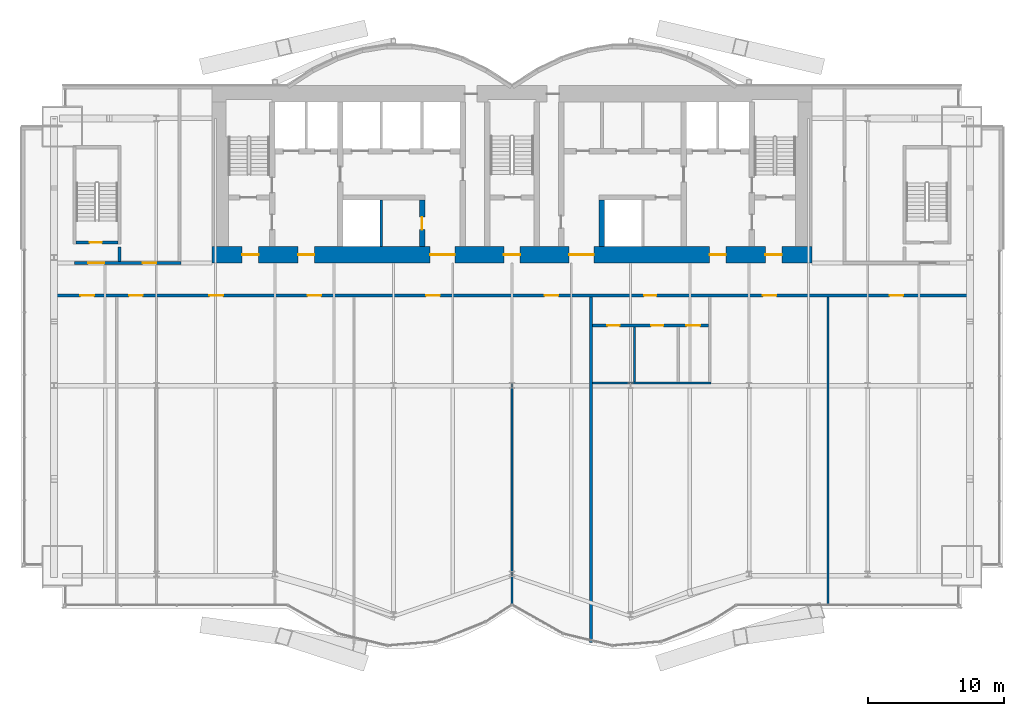
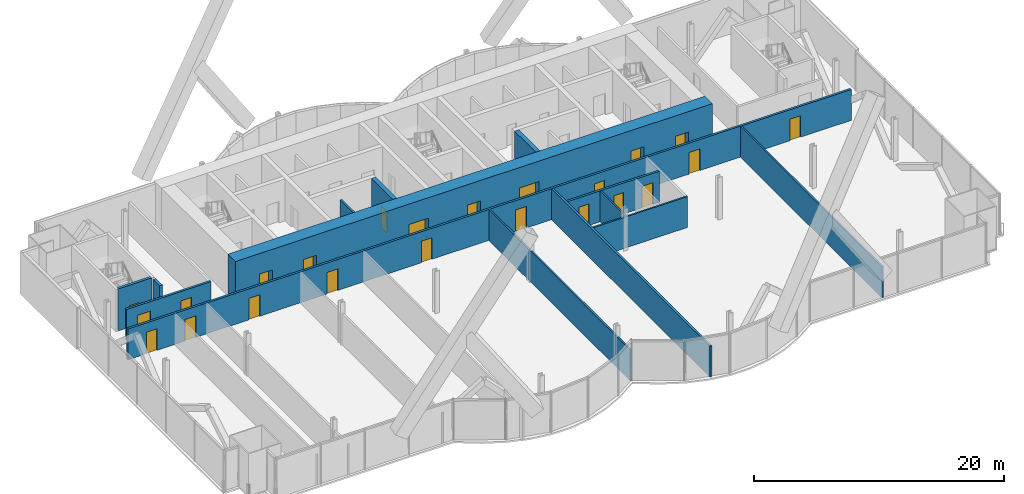
# One storey, part 16 of 22: 23 doors, 14 walls, 23 openings.
"""IFC4 building model written with IfcOpenShell, lengths in metres."""

from ifc_helpers import new_model, si_unit, direction, frame, frame_2d, origin, place, context, subcontext, project, spatial, rectangle, extrude, material, layer, layer_set, type_object, element, fill, save


model = new_model("IFC4")

# Units and contexts
model_context = context("Model", 3, precision=1e-05, world=origin(), true_north=direction((0.0, 1.0)))
body_context = subcontext(model_context, "Body", "Model", "MODEL_VIEW")
ifc_project = project(units=[si_unit("LENGTHUNIT", "METRE"), si_unit("AREAUNIT", "SQUARE_METRE"), si_unit("VOLUMEUNIT", "CUBIC_METRE"), si_unit("PLANEANGLEUNIT", "RADIAN"), si_unit("MASSUNIT", "GRAM", prefix="KILO")], contexts=[model_context])

# Site, building, storey
site_placement = place(None, origin())
site = spatial("IfcSite", under=ifc_project, at=site_placement, CompositionType="ELEMENT")
building_placement = place(site_placement, origin())
building = spatial("IfcBuilding", under=site, at=building_placement, Name="Bicima Exchange Tower", CompositionType="ELEMENT")
storey_placement = place(building_placement, frame((0.0, 0.0, 102.199951171875)))
storey = spatial("IfcBuildingStorey", under=building, at=storey_placement, Name="L21", CompositionType="ELEMENT", Elevation=102.199951171875)

# Wall
ifc_material_1 = material(Name="Gypsum board partition")
ifc_layer_1 = layer(ifc_material_1, 0.199951171875)
ifc_layer_set_1 = layer_set([ifc_layer_1], Name="Gypsum board partition")
wall_type_1 = type_object("IfcWallType", Name="Fire-rated gypsum partition 200 EI120", PredefinedType="PARTITIONING", material=ifc_layer_set_1)
wall_1_placement = place(storey_placement, frame((-9.60009765625, -11.800048828125, 0.0), z_axis=(0.0, 0.0, 1.0), x_axis=(0.0, 1.0, 0.0)))
element("IfcWall", 1, at=wall_1_placement, inside=storey, type_object=wall_type_1, Name="partition wall 11", PredefinedType="PARTITIONING", context=body_context, shape_type="SweptSolid", body=[
    extrude(rectangle(XDim=3.400146484375, YDim=0.199951171875, at=frame_2d((1.7001953125, 0.0))), origin(), (0.0, 0.0, 1.0), 3.018310546875),
])

# Wall, openings, doors
ifc_layer_2 = layer(ifc_material_1, 0.199951171875)
ifc_layer_set_2 = layer_set([ifc_layer_2], Name="Gypsum board partition")
wall_type_2 = type_object("IfcWallType", Name="Fire-rated gypsum partition 200 EI60", PredefinedType="PARTITIONING", material=ifc_layer_set_2)
wall_2_placement = place(storey_placement, frame((5.89990234375, -17.60009765625, 0.0), z_axis=(0.0, 0.0, 1.0), x_axis=(1.0, 0.0, 0.0)))
wall_2 = element("IfcWall", 2, at=wall_2_placement, inside=storey, type_object=wall_type_2, Name="partition wall 2", PredefinedType="PARTITIONING", context=body_context, shape_type="SweptSolid", body=[
    extrude(rectangle(XDim=8.5, YDim=0.199951171875, at=frame_2d((4.25, 0.0))), origin(), (0.0, 0.0, 1.0), 3.018310546875),
])
opening_1_placement = place(wall_2_placement, frame((1.10009765625, 0.0, 0.0)))
opening_1 = element("IfcOpeningElement", 3, at=opening_1_placement, cuts=wall_2, Name="Opening L21-014", PredefinedType="OPENING", context=body_context, shape_type="SweptSolid", body=[
    extrude(rectangle(XDim=0.89990234375, YDim=2.10009765625, at=frame_2d((0.449951171875, 1.050048828125))), frame((0.0, 0.11181640625, 0.0), z_axis=(0.0, -1.0, 0.0), x_axis=(1.0, 0.0, 0.0)), (0.0, 0.0, 1.0), 0.223876953125),
])
opening_2_placement = place(wall_2_placement, frame((4.300048828125, 0.0, 0.0)))
opening_2 = element("IfcOpeningElement", 4, at=opening_2_placement, cuts=wall_2, Name="Opening L21-015", PredefinedType="OPENING", context=body_context, shape_type="SweptSolid", body=[
    extrude(rectangle(XDim=0.89990234375, YDim=2.10009765625, at=frame_2d((0.449951171875, 1.050048828125))), frame((0.0, 0.11181640625, 0.0), z_axis=(0.0, -1.0, 0.0), x_axis=(1.0, 0.0, 0.0)), (0.0, 0.0, 1.0), 0.223876953125),
])
opening_3_placement = place(wall_2_placement, frame((6.89990234375, 0.0, 0.0)))
opening_3 = element("IfcOpeningElement", 5, at=opening_3_placement, cuts=wall_2, Name="Opening L21-016", PredefinedType="OPENING", context=body_context, shape_type="SweptSolid", body=[
    extrude(rectangle(XDim=1.0, YDim=2.10009765625, at=frame_2d((0.5, 1.050048828125))), frame((0.0, 0.11181640625, 0.0), z_axis=(0.0, -1.0, 0.0), x_axis=(1.0, 0.0, 0.0)), (0.0, 0.0, 1.0), 0.223876953125),
])
ifc_material_2 = material(Name="Steel fire door leaf", Category="steel")
door_type_1 = type_object("IfcDoorType", Name="Door 1000 swing FD30S", OperationType="SINGLE_SWING_LEFT", PredefinedType="DOOR", material=ifc_material_2)
door_1_placement = place(opening_3_placement, frame((1.0, 0.0, 0.0), z_axis=(0.0, 0.0, 1.0), x_axis=(-1.0, 0.0, 0.0)))
door_1 = element("IfcDoor", 6, at=door_1_placement, inside=storey, type_object=door_type_1, Name="Door", OperationType="SINGLE_SWING_LEFT", OverallHeight=2.10009765625, OverallWidth=1.0, PredefinedType="DOOR", context=body_context, shape_type="SweptSolid", body=[
    extrude(rectangle(XDim=1.0, YDim=2.10009765625, at=frame_2d((0.5, 1.050048828125))), frame((0.0, 0.02490234375, 0.0), z_axis=(0.0, -1.0, 0.0), x_axis=(1.0, 0.0, 0.0)), (0.0, 0.0, 1.0), 0.050048828125),
])
fill(opening_3, door_1)
door_type_2 = type_object("IfcDoorType", Name="Door 900 swing FD30S", OperationType="SINGLE_SWING_LEFT", PredefinedType="DOOR", material=ifc_material_2)
door_2_placement = place(opening_1_placement, frame((0.89990234375, 0.0, 0.0), z_axis=(0.0, 0.0, 1.0), x_axis=(-1.0, 0.0, 0.0)))
door_2 = element("IfcDoor", 7, at=door_2_placement, inside=storey, type_object=door_type_2, Name="Door", OperationType="SINGLE_SWING_RIGHT", OverallHeight=2.10009765625, OverallWidth=0.89990234375, PredefinedType="DOOR", context=body_context, shape_type="SweptSolid", body=[
    extrude(rectangle(XDim=0.89990234375, YDim=2.10009765625, at=frame_2d((0.449951171875, 1.050048828125))), frame((0.0, 0.02490234375, 0.0), z_axis=(0.0, -1.0, 0.0), x_axis=(1.0, 0.0, 0.0)), (0.0, 0.0, 1.0), 0.050048828125),
])
fill(opening_1, door_2)
door_3_placement = place(opening_2_placement, frame((0.89990234375, 0.0, 0.0), z_axis=(0.0, 0.0, 1.0), x_axis=(-1.0, 0.0, 0.0)))
door_3 = element("IfcDoor", 8, at=door_3_placement, inside=storey, type_object=door_type_2, Name="Door", OperationType="SINGLE_SWING_RIGHT", OverallHeight=2.10009765625, OverallWidth=0.89990234375, PredefinedType="DOOR", context=body_context, shape_type="SweptSolid", body=[
    extrude(rectangle(XDim=0.89990234375, YDim=2.10009765625, at=frame_2d((0.449951171875, 1.050048828125))), frame((0.0, 0.02490234375, 0.0), z_axis=(0.0, -1.0, 0.0), x_axis=(1.0, 0.0, 0.0)), (0.0, 0.0, 1.0), 0.050048828125),
])
fill(opening_2, door_3)

wall_3_placement = place(storey_placement, frame((-33.3701171875, -15.39990234375, 0.0), z_axis=(0.0, 0.0, 1.0), x_axis=(1.0, 0.0, 0.0)))
wall_3 = element("IfcWall", 9, at=wall_3_placement, inside=storey, type_object=wall_type_2, Name="partition wall 3", PredefinedType="PARTITIONING", context=body_context, shape_type="SweptSolid", body=[
    extrude(rectangle(XDim=66.740234375, YDim=0.199951171875, at=frame_2d((33.3701171875, 0.0))), origin(), (0.0, 0.0, 1.0), 3.018310546875),
])
opening_4_placement = place(wall_3_placement, frame((1.699951171875, 0.0, 0.0)))
opening_4 = element("IfcOpeningElement", 10, at=opening_4_placement, cuts=wall_3, Name="Opening L21-007", PredefinedType="OPENING", context=body_context, shape_type="SweptSolid", body=[
    extrude(rectangle(XDim=1.0, YDim=2.10009765625, at=frame_2d((0.5, 1.050048828125))), frame((0.0, 0.11181640625, 0.0), z_axis=(0.0, -1.0, 0.0), x_axis=(1.0, 0.0, 0.0)), (0.0, 0.0, 1.0), 0.223876953125),
])
opening_5_placement = place(wall_3_placement, frame((5.27001953125, 0.0, 0.0)))
opening_5 = element("IfcOpeningElement", 11, at=opening_5_placement, cuts=wall_3, Name="Opening L21-008", PredefinedType="OPENING", context=body_context, shape_type="SweptSolid", body=[
    extrude(rectangle(XDim=1.0, YDim=2.10009765625, at=frame_2d((0.5, 1.050048828125))), frame((0.0, 0.11181640625, 0.0), z_axis=(0.0, -1.0, 0.0), x_axis=(1.0, 0.0, 0.0)), (0.0, 0.0, 1.0), 0.223876953125),
])
opening_6_placement = place(wall_3_placement, frame((11.169921875, 0.0, 0.0)))
opening_6 = element("IfcOpeningElement", 12, at=opening_6_placement, cuts=wall_3, Name="Opening L21-009", PredefinedType="OPENING", context=body_context, shape_type="SweptSolid", body=[
    extrude(rectangle(XDim=1.0, YDim=2.10009765625, at=frame_2d((0.5, 1.050048828125))), frame((0.0, 0.11181640625, 0.0), z_axis=(0.0, -1.0, 0.0), x_axis=(1.0, 0.0, 0.0)), (0.0, 0.0, 1.0), 0.223876953125),
])
opening_7_placement = place(wall_3_placement, frame((18.3701171875, 0.0, 0.0)))
opening_7 = element("IfcOpeningElement", 13, at=opening_7_placement, cuts=wall_3, Name="Opening L21-010", PredefinedType="OPENING", context=body_context, shape_type="SweptSolid", body=[
    extrude(rectangle(XDim=1.0, YDim=2.10009765625, at=frame_2d((0.5, 1.050048828125))), frame((0.0, 0.11181640625, 0.0), z_axis=(0.0, -1.0, 0.0), x_axis=(1.0, 0.0, 0.0)), (0.0, 0.0, 1.0), 0.223876953125),
])
opening_8_placement = place(wall_3_placement, frame((27.070068359375, 0.0, 0.0)))
opening_8 = element("IfcOpeningElement", 14, at=opening_8_placement, cuts=wall_3, Name="Opening L21-011", PredefinedType="OPENING", context=body_context, shape_type="SweptSolid", body=[
    extrude(rectangle(XDim=1.0, YDim=2.10009765625, at=frame_2d((0.5, 1.050048828125))), frame((0.0, 0.11181640625, 0.0), z_axis=(0.0, -1.0, 0.0), x_axis=(1.0, 0.0, 0.0)), (0.0, 0.0, 1.0), 0.223876953125),
])
opening_9_placement = place(wall_3_placement, frame((35.77001953125, 0.0, 0.0)))
opening_9 = element("IfcOpeningElement", 15, at=opening_9_placement, cuts=wall_3, Name="Opening L21-012", PredefinedType="OPENING", context=body_context, shape_type="SweptSolid", body=[
    extrude(rectangle(XDim=1.0, YDim=2.10009765625, at=frame_2d((0.5, 1.050048828125))), frame((0.0, 0.11181640625, 0.0), z_axis=(0.0, -1.0, 0.0), x_axis=(1.0, 0.0, 0.0)), (0.0, 0.0, 1.0), 0.223876953125),
])
opening_10_placement = place(wall_3_placement, frame((43.070068359375, 0.0, 0.0)))
opening_10 = element("IfcOpeningElement", 16, at=opening_10_placement, cuts=wall_3, Name="Opening L21-013", PredefinedType="OPENING", context=body_context, shape_type="SweptSolid", body=[
    extrude(rectangle(XDim=0.89990234375, YDim=2.10009765625, at=frame_2d((0.449951171875, 1.050048828125))), frame((0.0, 0.11181640625, 0.0), z_axis=(0.0, -1.0, 0.0), x_axis=(1.0, 0.0, 0.0)), (0.0, 0.0, 1.0), 0.223876953125),
])
opening_11_placement = place(wall_3_placement, frame((51.77001953125, 0.0, 0.0)))
opening_11 = element("IfcOpeningElement", 17, at=opening_11_placement, cuts=wall_3, Name="Opening L21-017", PredefinedType="OPENING", context=body_context, shape_type="SweptSolid", body=[
    extrude(rectangle(XDim=1.0, YDim=2.10009765625, at=frame_2d((0.5, 1.050048828125))), frame((0.0, 0.11181640625, 0.0), z_axis=(0.0, -1.0, 0.0), x_axis=(1.0, 0.0, 0.0)), (0.0, 0.0, 1.0), 0.223876953125),
])
opening_12_placement = place(wall_3_placement, frame((61.070068359375, 0.0, 0.0)))
opening_12 = element("IfcOpeningElement", 18, at=opening_12_placement, cuts=wall_3, Name="Opening L21-018", PredefinedType="OPENING", context=body_context, shape_type="SweptSolid", body=[
    extrude(rectangle(XDim=1.0, YDim=2.10009765625, at=frame_2d((0.5, 1.050048828125))), frame((0.0, 0.11181640625, 0.0), z_axis=(0.0, -1.0, 0.0), x_axis=(1.0, 0.0, 0.0)), (0.0, 0.0, 1.0), 0.223876953125),
])
door_4_placement = place(opening_4_placement, frame((1.0, 0.0, 0.0), z_axis=(0.0, 0.0, 1.0), x_axis=(-1.0, 0.0, 0.0)))
door_4 = element("IfcDoor", 19, at=door_4_placement, inside=storey, type_object=door_type_1, Name="Door", OperationType="SINGLE_SWING_LEFT", OverallHeight=2.10009765625, OverallWidth=1.0, PredefinedType="DOOR", context=body_context, shape_type="SweptSolid", body=[
    extrude(rectangle(XDim=1.0, YDim=2.10009765625, at=frame_2d((0.5, 1.050048828125))), frame((0.0, 0.02490234375, 0.0), z_axis=(0.0, -1.0, 0.0), x_axis=(1.0, 0.0, 0.0)), (0.0, 0.0, 1.0), 0.050048828125),
])
fill(opening_4, door_4)
door_5_placement = place(opening_5_placement, frame((1.0, 0.0, 0.0), z_axis=(0.0, 0.0, 1.0), x_axis=(-1.0, 0.0, 0.0)))
door_5 = element("IfcDoor", 20, at=door_5_placement, inside=storey, type_object=door_type_1, Name="Door", OperationType="SINGLE_SWING_RIGHT", OverallHeight=2.10009765625, OverallWidth=1.0, PredefinedType="DOOR", context=body_context, shape_type="SweptSolid", body=[
    extrude(rectangle(XDim=1.0, YDim=2.10009765625, at=frame_2d((0.5, 1.050048828125))), frame((0.0, 0.02490234375, 0.0), z_axis=(0.0, -1.0, 0.0), x_axis=(1.0, 0.0, 0.0)), (0.0, 0.0, 1.0), 0.050048828125),
])
fill(opening_5, door_5)
door_6_placement = place(opening_6_placement, frame((1.0, 0.0, 0.0), z_axis=(0.0, 0.0, 1.0), x_axis=(-1.0, 0.0, 0.0)))
door_6 = element("IfcDoor", 21, at=door_6_placement, inside=storey, type_object=door_type_1, Name="Door", OperationType="SINGLE_SWING_RIGHT", OverallHeight=2.10009765625, OverallWidth=1.0, PredefinedType="DOOR", context=body_context, shape_type="SweptSolid", body=[
    extrude(rectangle(XDim=1.0, YDim=2.10009765625, at=frame_2d((0.5, 1.050048828125))), frame((0.0, 0.02490234375, 0.0), z_axis=(0.0, -1.0, 0.0), x_axis=(1.0, 0.0, 0.0)), (0.0, 0.0, 1.0), 0.050048828125),
])
fill(opening_6, door_6)
door_7_placement = place(opening_7_placement, frame((1.0, 0.0, 0.0), z_axis=(0.0, 0.0, 1.0), x_axis=(-1.0, 0.0, 0.0)))
door_7 = element("IfcDoor", 22, at=door_7_placement, inside=storey, type_object=door_type_1, Name="Door", OperationType="SINGLE_SWING_LEFT", OverallHeight=2.10009765625, OverallWidth=1.0, PredefinedType="DOOR", context=body_context, shape_type="SweptSolid", body=[
    extrude(rectangle(XDim=1.0, YDim=2.10009765625, at=frame_2d((0.5, 1.050048828125))), frame((0.0, 0.02490234375, 0.0), z_axis=(0.0, -1.0, 0.0), x_axis=(1.0, 0.0, 0.0)), (0.0, 0.0, 1.0), 0.050048828125),
])
fill(opening_7, door_7)
door_8_placement = place(opening_8_placement, frame((1.0, 0.0, 0.0), z_axis=(0.0, 0.0, 1.0), x_axis=(-1.0, 0.0, 0.0)))
door_8 = element("IfcDoor", 23, at=door_8_placement, inside=storey, type_object=door_type_1, Name="Door", OperationType="SINGLE_SWING_RIGHT", OverallHeight=2.10009765625, OverallWidth=1.0, PredefinedType="DOOR", context=body_context, shape_type="SweptSolid", body=[
    extrude(rectangle(XDim=1.0, YDim=2.10009765625, at=frame_2d((0.5, 1.050048828125))), frame((0.0, 0.02490234375, 0.0), z_axis=(0.0, -1.0, 0.0), x_axis=(1.0, 0.0, 0.0)), (0.0, 0.0, 1.0), 0.050048828125),
])
fill(opening_8, door_8)
door_9_placement = place(opening_9_placement, frame((1.0, 0.0, 0.0), z_axis=(0.0, 0.0, 1.0), x_axis=(-1.0, 0.0, 0.0)))
door_9 = element("IfcDoor", 24, at=door_9_placement, inside=storey, type_object=door_type_1, Name="Door", OperationType="SINGLE_SWING_RIGHT", OverallHeight=2.10009765625, OverallWidth=1.0, PredefinedType="DOOR", context=body_context, shape_type="SweptSolid", body=[
    extrude(rectangle(XDim=1.0, YDim=2.10009765625, at=frame_2d((0.5, 1.050048828125))), frame((0.0, 0.02490234375, 0.0), z_axis=(0.0, -1.0, 0.0), x_axis=(1.0, 0.0, 0.0)), (0.0, 0.0, 1.0), 0.050048828125),
])
fill(opening_9, door_9)
door_10_placement = place(opening_11_placement, frame((1.0, 0.0, 0.0), z_axis=(0.0, 0.0, 1.0), x_axis=(-1.0, 0.0, 0.0)))
door_10 = element("IfcDoor", 25, at=door_10_placement, inside=storey, type_object=door_type_1, Name="Door", OperationType="SINGLE_SWING_RIGHT", OverallHeight=2.10009765625, OverallWidth=1.0, PredefinedType="DOOR", context=body_context, shape_type="SweptSolid", body=[
    extrude(rectangle(XDim=1.0, YDim=2.10009765625, at=frame_2d((0.5, 1.050048828125))), frame((0.0, 0.02490234375, 0.0), z_axis=(0.0, -1.0, 0.0), x_axis=(1.0, 0.0, 0.0)), (0.0, 0.0, 1.0), 0.050048828125),
])
fill(opening_11, door_10)
door_11_placement = place(opening_12_placement, frame((1.0, 0.0, 0.0), z_axis=(0.0, 0.0, 1.0), x_axis=(-1.0, 0.0, 0.0)))
door_11 = element("IfcDoor", 26, at=door_11_placement, inside=storey, type_object=door_type_1, Name="Door", OperationType="SINGLE_SWING_RIGHT", OverallHeight=2.10009765625, OverallWidth=1.0, PredefinedType="DOOR", context=body_context, shape_type="SweptSolid", body=[
    extrude(rectangle(XDim=1.0, YDim=2.10009765625, at=frame_2d((0.5, 1.050048828125))), frame((0.0, 0.02490234375, 0.0), z_axis=(0.0, -1.0, 0.0), x_axis=(1.0, 0.0, 0.0)), (0.0, 0.0, 1.0), 0.050048828125),
])
fill(opening_12, door_11)
door_12_placement = place(opening_10_placement, frame((0.89990234375, 0.0, 0.0), z_axis=(0.0, 0.0, 1.0), x_axis=(-1.0, 0.0, 0.0)))
door_12 = element("IfcDoor", 27, at=door_12_placement, inside=storey, type_object=door_type_2, Name="Door", OperationType="SINGLE_SWING_LEFT", OverallHeight=2.10009765625, OverallWidth=0.89990234375, PredefinedType="DOOR", context=body_context, shape_type="SweptSolid", body=[
    extrude(rectangle(XDim=0.89990234375, YDim=2.10009765625, at=frame_2d((0.449951171875, 1.050048828125))), frame((0.0, 0.02490234375, 0.0), z_axis=(0.0, -1.0, 0.0), x_axis=(1.0, 0.0, 0.0)), (0.0, 0.0, 1.0), 0.050048828125),
])
fill(opening_10, door_12)

wall_4_placement = place(storey_placement, frame((-32.10009765625, -13.0, 0.0), z_axis=(0.0, 0.0, 1.0), x_axis=(1.0, 0.0, 0.0)))
wall_4 = element("IfcWall", 28, at=wall_4_placement, inside=storey, type_object=wall_type_2, Name="partition wall 4", PredefinedType="PARTITIONING", context=body_context, shape_type="SweptSolid", body=[
    extrude(rectangle(XDim=7.800048828125, YDim=0.199951171875, at=frame_2d((3.89990234375, 0.0))), origin(), (0.0, 0.0, 1.0), 3.018310546875),
])
opening_13_placement = place(wall_4_placement, frame((1.0, 0.0, 0.0)))
opening_13 = element("IfcOpeningElement", 29, at=opening_13_placement, cuts=wall_4, Name="Opening L21-001", PredefinedType="OPENING", context=body_context, shape_type="SweptSolid", body=[
    extrude(rectangle(XDim=1.199951171875, YDim=2.10009765625, at=frame_2d((0.60009765625, 1.050048828125))), frame((0.0, 0.11181640625, 0.0), z_axis=(0.0, -1.0, 0.0), x_axis=(1.0, 0.0, 0.0)), (0.0, 0.0, 1.0), 0.223876953125),
])
opening_14_placement = place(wall_4_placement, frame((5.0, 0.0, 0.0)))
opening_14 = element("IfcOpeningElement", 30, at=opening_14_placement, cuts=wall_4, Name="Opening L21-005", PredefinedType="OPENING", context=body_context, shape_type="SweptSolid", body=[
    extrude(rectangle(XDim=1.0, YDim=2.10009765625, at=frame_2d((0.5, 1.050048828125))), frame((0.0, 0.11181640625, 0.0), z_axis=(0.0, -1.0, 0.0), x_axis=(1.0, 0.0, 0.0)), (0.0, 0.0, 1.0), 0.223876953125),
])
door_13_placement = place(opening_14_placement, origin())
door_13 = element("IfcDoor", 31, at=door_13_placement, inside=storey, type_object=door_type_1, Name="Door", OperationType="SINGLE_SWING_LEFT", OverallHeight=2.10009765625, OverallWidth=1.0, PredefinedType="DOOR", context=body_context, shape_type="SweptSolid", body=[
    extrude(rectangle(XDim=1.0, YDim=2.10009765625, at=frame_2d((0.5, 1.050048828125))), frame((0.0, 0.02490234375, 0.0), z_axis=(0.0, -1.0, 0.0), x_axis=(1.0, 0.0, 0.0)), (0.0, 0.0, 1.0), 0.050048828125),
])
fill(opening_14, door_13)
door_type_3 = type_object("IfcDoorType", Name="Door 1200 swing FD30S", OperationType="SINGLE_SWING_LEFT", PredefinedType="DOOR", material=ifc_material_2)
door_14_placement = place(opening_13_placement, origin())
door_14 = element("IfcDoor", 32, at=door_14_placement, inside=storey, type_object=door_type_3, Name="Door", OperationType="SINGLE_SWING_LEFT", OverallHeight=2.10009765625, OverallWidth=1.199951171875, PredefinedType="DOOR", context=body_context, shape_type="SweptSolid", body=[
    extrude(rectangle(XDim=1.199951171875, YDim=2.10009765625, at=frame_2d((0.60009765625, 1.050048828125))), frame((0.0, 0.02490234375, 0.0), z_axis=(0.0, -1.0, 0.0), x_axis=(1.0, 0.0, 0.0)), (0.0, 0.0, 1.0), 0.050048828125),
])
fill(opening_13, door_14)

# Walls
wall_5_placement = place(storey_placement, frame((5.800048828125, -40.840087890625, 0.0), z_axis=(0.0, 0.0, 1.0), x_axis=(0.0, 1.0, 0.0)))
element("IfcWall", 33, at=wall_5_placement, inside=storey, type_object=wall_type_2, Name="partition wall 22", PredefinedType="PARTITIONING", context=body_context, shape_type="SweptSolid", body=[
    extrude(rectangle(XDim=25.340087890625, YDim=0.199951171875, at=frame_2d((12.669921875, 0.0))), origin(), (0.0, 0.0, 1.0), 3.018310546875),
])
ifc_layer_3 = layer(ifc_material_1, 0.14990234375)
ifc_layer_set_3 = layer_set([ifc_layer_3], Name="Gypsum board partition")
wall_type_3 = type_object("IfcWallType", Name="Gypsum partition 150", PredefinedType="PARTITIONING", material=ifc_layer_set_3)
wall_6_placement = place(storey_placement, frame((5.89990234375, -21.800048828125, 0.0), z_axis=(0.0, 0.0, 1.0), x_axis=(1.0, 0.0, 0.0)))
element("IfcWall", 34, at=wall_6_placement, inside=storey, type_object=wall_type_3, Name="partition wall 1", PredefinedType="PARTITIONING", context=body_context, shape_type="SweptSolid", body=[
    extrude(rectangle(XDim=8.7001953125, YDim=0.14990234375, at=frame_2d((4.35009765625, 0.0))), origin(), (0.0, 0.0, 1.0), 3.018310546875),
])
wall_7_placement = place(storey_placement, frame((0.0, -38.090087890625, 0.0), z_axis=(0.0, 0.0, 1.0), x_axis=(0.0, 1.0, 0.0)))
element("IfcWall", 35, at=wall_7_placement, inside=storey, type_object=wall_type_3, Name="partition wall 21", PredefinedType="PARTITIONING", context=body_context, shape_type="SweptSolid", body=[
    extrude(rectangle(XDim=22.590087890625, YDim=0.14990234375, at=frame_2d((11.294921875, 0.0))), origin(), (0.0, 0.0, 1.0), 3.018310546875),
])
wall_8_placement = place(storey_placement, frame((9.0, -21.72509765625, 0.0), z_axis=(0.0, 0.0, 1.0), x_axis=(0.0, 1.0, 0.0)))
element("IfcWall", 36, at=wall_8_placement, inside=storey, type_object=wall_type_3, Name="partition wall 23", PredefinedType="PARTITIONING", context=body_context, shape_type="SweptSolid", body=[
    extrude(rectangle(XDim=4.025146484375, YDim=0.14990234375, at=frame_2d((2.0126953125, 0.0))), origin(), (0.0, 0.0, 1.0), 3.018310546875),
])
wall_9_placement = place(storey_placement, frame((23.199951171875, -38.1298828125, 0.0), z_axis=(0.0, 0.0, 1.0), x_axis=(0.0, 1.0, 0.0)))
element("IfcWall", 37, at=wall_9_placement, inside=storey, type_object=wall_type_3, Name="partition wall 26", PredefinedType="PARTITIONING", context=body_context, shape_type="SweptSolid", body=[
    extrude(rectangle(XDim=22.6298828125, YDim=0.14990234375, at=frame_2d((11.31494140625, 0.0))), origin(), (0.0, 0.0, 1.0), 3.018310546875),
])

# Wall, openings, doors
ifc_material_3 = material(Name="Concrete C60/75", Category="concrete")
ifc_layer_4 = layer(ifc_material_3, 1.199951171875)
ifc_layer_set_4 = layer_set([ifc_layer_4], Name="Concrete C60/75")
wall_type_4 = type_object("IfcWallType", Name="RC core wall 1200 C60/75", PredefinedType="SHEAR", material=ifc_layer_set_4)
wall_10_placement = place(storey_placement, frame((-22.0, -12.39990234375, 0.0), z_axis=(0.0, 0.0, 1.0), x_axis=(1.0, 0.0, 0.0)))
wall_10 = element("IfcWall", 38, at=wall_10_placement, inside=storey, type_object=wall_type_4, Name="Core wall south", PredefinedType="SHEAR", context=body_context, shape_type="SweptSolid", body=[
    extrude(rectangle(XDim=44.0, YDim=1.199951171875, at=frame_2d((22.0, 0.0))), origin(), (0.0, 0.0, 1.0), 4.10009765625),
])
opening_15_placement = place(wall_10_placement, frame((2.199951171875, 0.0, 0.0)))
opening_15 = element("IfcOpeningElement", 39, at=opening_15_placement, cuts=wall_10, Name="Opening L21-C19", PredefinedType="OPENING", context=body_context, shape_type="SweptSolid", body=[
    extrude(rectangle(XDim=1.199951171875, YDim=2.10009765625, at=frame_2d((0.60009765625, 1.050048828125))), frame((0.0, 0.61181640625, 0.0), z_axis=(0.0, -1.0, 0.0), x_axis=(1.0, 0.0, 0.0)), (0.0, 0.0, 1.0), 1.223876953125),
])
opening_16_placement = place(wall_10_placement, frame((21.39990234375, 0.0, 0.0)))
opening_16 = element("IfcOpeningElement", 40, at=opening_16_placement, cuts=wall_10, Name="Opening L21-C20", PredefinedType="OPENING", context=body_context, shape_type="SweptSolid", body=[
    extrude(rectangle(XDim=1.199951171875, YDim=2.10009765625, at=frame_2d((0.60009765625, 1.050048828125))), frame((0.0, 0.61181640625, 0.0), z_axis=(0.0, -1.0, 0.0), x_axis=(1.0, 0.0, 0.0)), (0.0, 0.0, 1.0), 1.223876953125),
])
opening_17_placement = place(wall_10_placement, frame((40.60009765625, 0.0, 0.0)))
opening_17 = element("IfcOpeningElement", 41, at=opening_17_placement, cuts=wall_10, Name="Opening L21-C21", PredefinedType="OPENING", context=body_context, shape_type="SweptSolid", body=[
    extrude(rectangle(XDim=1.199951171875, YDim=2.10009765625, at=frame_2d((0.60009765625, 1.050048828125))), frame((0.0, 0.61181640625, 0.0), z_axis=(0.0, -1.0, 0.0), x_axis=(1.0, 0.0, 0.0)), (0.0, 0.0, 1.0), 1.223876953125),
])
opening_18_placement = place(wall_10_placement, frame((16.0, 0.0, 0.0)))
opening_18 = element("IfcOpeningElement", 42, at=opening_18_placement, cuts=wall_10, Name="Opening L21-C22", PredefinedType="OPENING", context=body_context, shape_type="SweptSolid", body=[
    extrude(rectangle(XDim=1.800048828125, YDim=2.10009765625, at=frame_2d((0.89990234375, 1.050048828125))), frame((0.0, 0.61181640625, 0.0), z_axis=(0.0, -1.0, 0.0), x_axis=(1.0, 0.0, 0.0)), (0.0, 0.0, 1.0), 1.223876953125),
])
opening_19_placement = place(wall_10_placement, frame((6.300048828125, 0.0, 0.0)))
opening_19 = element("IfcOpeningElement", 43, at=opening_19_placement, cuts=wall_10, Name="Opening L21-C23", PredefinedType="OPENING", context=body_context, shape_type="SweptSolid", body=[
    extrude(rectangle(XDim=1.199951171875, YDim=2.10009765625, at=frame_2d((0.60009765625, 1.050048828125))), frame((0.0, 0.61181640625, 0.0), z_axis=(0.0, -1.0, 0.0), x_axis=(1.0, 0.0, 0.0)), (0.0, 0.0, 1.0), 1.223876953125),
])
opening_20_placement = place(wall_10_placement, frame((26.199951171875, 0.0, 0.0)))
opening_20 = element("IfcOpeningElement", 44, at=opening_20_placement, cuts=wall_10, Name="Opening L21-C24", PredefinedType="OPENING", context=body_context, shape_type="SweptSolid", body=[
    extrude(rectangle(XDim=1.800048828125, YDim=2.10009765625, at=frame_2d((0.89990234375, 1.050048828125))), frame((0.0, 0.61181640625, 0.0), z_axis=(0.0, -1.0, 0.0), x_axis=(1.0, 0.0, 0.0)), (0.0, 0.0, 1.0), 1.223876953125),
])
opening_21_placement = place(wall_10_placement, frame((36.5, 0.0, 0.0)))
opening_21 = element("IfcOpeningElement", 45, at=opening_21_placement, cuts=wall_10, Name="Opening L21-C25", PredefinedType="OPENING", context=body_context, shape_type="SweptSolid", body=[
    extrude(rectangle(XDim=1.199951171875, YDim=2.10009765625, at=frame_2d((0.60009765625, 1.050048828125))), frame((0.0, 0.61181640625, 0.0), z_axis=(0.0, -1.0, 0.0), x_axis=(1.0, 0.0, 0.0)), (0.0, 0.0, 1.0), 1.223876953125),
])
door_type_4 = type_object("IfcDoorType", Name="Door 1200 swing FD60S", OperationType="SINGLE_SWING_LEFT", PredefinedType="DOOR", material=ifc_material_2)
door_15_placement = place(opening_15_placement, frame((1.199951171875, 0.0, 0.0), z_axis=(0.0, 0.0, 1.0), x_axis=(-1.0, 0.0, 0.0)))
door_15 = element("IfcDoor", 46, at=door_15_placement, inside=storey, type_object=door_type_4, Name="Core door", OperationType="SINGLE_SWING_RIGHT", OverallHeight=2.10009765625, OverallWidth=1.199951171875, PredefinedType="DOOR", context=body_context, shape_type="SweptSolid", body=[
    extrude(rectangle(XDim=1.199951171875, YDim=2.10009765625, at=frame_2d((0.60009765625, 1.050048828125))), frame((0.0, 0.02490234375, 0.0), z_axis=(0.0, -1.0, 0.0), x_axis=(1.0, 0.0, 0.0)), (0.0, 0.0, 1.0), 0.050048828125),
])
fill(opening_15, door_15)
door_16_placement = place(opening_16_placement, frame((1.199951171875, 0.0, 0.0), z_axis=(0.0, 0.0, 1.0), x_axis=(-1.0, 0.0, 0.0)))
door_16 = element("IfcDoor", 47, at=door_16_placement, inside=storey, type_object=door_type_4, Name="Core door", OperationType="SINGLE_SWING_RIGHT", OverallHeight=2.10009765625, OverallWidth=1.199951171875, PredefinedType="DOOR", context=body_context, shape_type="SweptSolid", body=[
    extrude(rectangle(XDim=1.199951171875, YDim=2.10009765625, at=frame_2d((0.60009765625, 1.050048828125))), frame((0.0, 0.02490234375, 0.0), z_axis=(0.0, -1.0, 0.0), x_axis=(1.0, 0.0, 0.0)), (0.0, 0.0, 1.0), 0.050048828125),
])
fill(opening_16, door_16)
door_17_placement = place(opening_17_placement, frame((1.199951171875, 0.0, 0.0), z_axis=(0.0, 0.0, 1.0), x_axis=(-1.0, 0.0, 0.0)))
door_17 = element("IfcDoor", 48, at=door_17_placement, inside=storey, type_object=door_type_4, Name="Core door", OperationType="SINGLE_SWING_RIGHT", OverallHeight=2.10009765625, OverallWidth=1.199951171875, PredefinedType="DOOR", context=body_context, shape_type="SweptSolid", body=[
    extrude(rectangle(XDim=1.199951171875, YDim=2.10009765625, at=frame_2d((0.60009765625, 1.050048828125))), frame((0.0, 0.02490234375, 0.0), z_axis=(0.0, -1.0, 0.0), x_axis=(1.0, 0.0, 0.0)), (0.0, 0.0, 1.0), 0.050048828125),
])
fill(opening_17, door_17)
door_18_placement = place(opening_19_placement, frame((1.199951171875, 0.0, 0.0), z_axis=(0.0, 0.0, 1.0), x_axis=(-1.0, 0.0, 0.0)))
door_18 = element("IfcDoor", 49, at=door_18_placement, inside=storey, type_object=door_type_4, Name="Core door", OperationType="SINGLE_SWING_RIGHT", OverallHeight=2.10009765625, OverallWidth=1.199951171875, PredefinedType="DOOR", context=body_context, shape_type="SweptSolid", body=[
    extrude(rectangle(XDim=1.199951171875, YDim=2.10009765625, at=frame_2d((0.60009765625, 1.050048828125))), frame((0.0, 0.02490234375, 0.0), z_axis=(0.0, -1.0, 0.0), x_axis=(1.0, 0.0, 0.0)), (0.0, 0.0, 1.0), 0.050048828125),
])
fill(opening_19, door_18)
door_19_placement = place(opening_21_placement, frame((1.199951171875, 0.0, 0.0), z_axis=(0.0, 0.0, 1.0), x_axis=(-1.0, 0.0, 0.0)))
door_19 = element("IfcDoor", 50, at=door_19_placement, inside=storey, type_object=door_type_4, Name="Core door", OperationType="SINGLE_SWING_RIGHT", OverallHeight=2.10009765625, OverallWidth=1.199951171875, PredefinedType="DOOR", context=body_context, shape_type="SweptSolid", body=[
    extrude(rectangle(XDim=1.199951171875, YDim=2.10009765625, at=frame_2d((0.60009765625, 1.050048828125))), frame((0.0, 0.02490234375, 0.0), z_axis=(0.0, -1.0, 0.0), x_axis=(1.0, 0.0, 0.0)), (0.0, 0.0, 1.0), 0.050048828125),
])
fill(opening_21, door_19)
door_type_5 = type_object("IfcDoorType", Name="Door 1800 double swing FD30S", OperationType="DOUBLE_DOOR_SINGLE_SWING", PredefinedType="DOOR", material=ifc_material_2)
door_20_placement = place(opening_18_placement, origin())
door_20 = element("IfcDoor", 51, at=door_20_placement, inside=storey, type_object=door_type_5, Name="Core door", OperationType="SINGLE_SWING_LEFT", OverallHeight=2.10009765625, OverallWidth=1.800048828125, PredefinedType="DOOR", context=body_context, shape_type="SweptSolid", body=[
    extrude(rectangle(XDim=1.800048828125, YDim=2.10009765625, at=frame_2d((0.89990234375, 1.050048828125))), frame((0.0, 0.02490234375, 0.0), z_axis=(0.0, -1.0, 0.0), x_axis=(1.0, 0.0, 0.0)), (0.0, 0.0, 1.0), 0.050048828125),
])
fill(opening_18, door_20)
door_21_placement = place(opening_20_placement, origin())
door_21 = element("IfcDoor", 52, at=door_21_placement, inside=storey, type_object=door_type_5, Name="Core door", OperationType="SINGLE_SWING_LEFT", OverallHeight=2.10009765625, OverallWidth=1.800048828125, PredefinedType="DOOR", context=body_context, shape_type="SweptSolid", body=[
    extrude(rectangle(XDim=1.800048828125, YDim=2.10009765625, at=frame_2d((0.89990234375, 1.050048828125))), frame((0.0, 0.02490234375, 0.0), z_axis=(0.0, -1.0, 0.0), x_axis=(1.0, 0.0, 0.0)), (0.0, 0.0, 1.0), 0.050048828125),
])
fill(opening_20, door_21)

# Wall
ifc_material_4 = material(Name="Concrete C50/60", Category="concrete")
ifc_layer_5 = layer(ifc_material_4, 0.25)
ifc_layer_set_5 = layer_set([ifc_layer_5], Name="Concrete C50/60")
wall_type_5 = type_object("IfcWallType", Name="RC core wall 250 C50/60", PredefinedType="SHEAR", material=ifc_layer_set_5)
wall_11_placement = place(storey_placement, frame((-28.800048828125, -12.89990234375, 0.0), z_axis=(0.0, 0.0, 1.0), x_axis=(0.0, 1.0, 0.0)))
element("IfcWall", 53, at=wall_11_placement, inside=storey, type_object=wall_type_5, Name="stair wall 14", PredefinedType="SHEAR", context=body_context, shape_type="SweptSolid", body=[
    extrude(rectangle(XDim=1.0498046875, YDim=0.25, at=frame_2d((0.52490234375, 0.0))), origin(), (0.0, 0.0, 1.0), 4.10009765625),
])

# Wall, opening, door
ifc_layer_6 = layer(ifc_material_3, 0.39990234375)
ifc_layer_set_6 = layer_set([ifc_layer_6], Name="Concrete C60/75")
wall_type_6 = type_object("IfcWallType", Name="RC core wall 400 C60/75", PredefinedType="SHEAR", material=ifc_layer_set_6)
wall_12_placement = place(storey_placement, frame((-6.60009765625, -11.800048828125, 0.0), z_axis=(0.0, 0.0, 1.0), x_axis=(0.0, 1.0, 0.0)))
wall_12 = element("IfcWall", 54, at=wall_12_placement, inside=storey, type_object=wall_type_6, Name="shear wall 13", PredefinedType="SHEAR", context=body_context, shape_type="SweptSolid", body=[
    extrude(rectangle(XDim=3.400146484375, YDim=0.39990234375, at=frame_2d((1.7001953125, 0.0))), origin(), (0.0, 0.0, 1.0), 4.10009765625),
])
opening_22_placement = place(wall_12_placement, frame((1.25, 0.0, 0.0)))
opening_22 = element("IfcOpeningElement", 55, at=opening_22_placement, cuts=wall_12, Name="Opening L21-C15", PredefinedType="OPENING", context=body_context, shape_type="SweptSolid", body=[
    extrude(rectangle(XDim=0.89990234375, YDim=2.10009765625, at=frame_2d((0.449951171875, 1.050048828125))), frame((0.0, 0.2119140625, 0.0), z_axis=(0.0, -1.0, 0.0), x_axis=(1.0, 0.0, 0.0)), (0.0, 0.0, 1.0), 0.423828125),
])
door_22_placement = place(opening_22_placement, origin())
door_22 = element("IfcDoor", 56, at=door_22_placement, inside=storey, type_object=door_type_2, Name="Core door", OperationType="SINGLE_SWING_LEFT", OverallHeight=2.10009765625, OverallWidth=0.89990234375, PredefinedType="DOOR", context=body_context, shape_type="SweptSolid", body=[
    extrude(rectangle(XDim=0.89990234375, YDim=2.10009765625, at=frame_2d((0.449951171875, 1.050048828125))), frame((0.0, 0.02490234375, 0.0), z_axis=(0.0, -1.0, 0.0), x_axis=(1.0, 0.0, 0.0)), (0.0, 0.0, 1.0), 0.050048828125),
])
fill(opening_22, door_22)

# Wall
wall_13_placement = place(storey_placement, frame((6.60009765625, -11.800048828125, 0.0), z_axis=(0.0, 0.0, 1.0), x_axis=(0.0, 1.0, 0.0)))
element("IfcWall", 57, at=wall_13_placement, inside=storey, type_object=wall_type_6, Name="shear wall 19", PredefinedType="SHEAR", context=body_context, shape_type="SweptSolid", body=[
    extrude(rectangle(XDim=3.400146484375, YDim=0.39990234375, at=frame_2d((1.7001953125, 0.0))), origin(), (0.0, 0.0, 1.0), 4.10009765625),
])

# Wall, opening, door
ifc_layer_7 = layer(ifc_material_4, 0.25)
ifc_layer_set_7 = layer_set([ifc_layer_7], Name="Concrete C50/60")
wall_type_7 = type_object("IfcWallType", Name="RC stair enclosure wall 250 C50/60", PredefinedType="SHEAR", material=ifc_layer_set_7)
wall_14_placement = place(storey_placement, frame((-31.97509765625, -11.5, 0.0), z_axis=(0.0, 0.0, 1.0), x_axis=(1.0, 0.0, 0.0)))
wall_14 = element("IfcWall", 58, at=wall_14_placement, inside=storey, type_object=wall_type_7, Name="West end exit stair wall S", PredefinedType="SHEAR", context=body_context, shape_type="SweptSolid", body=[
    extrude(rectangle(XDim=3.050048828125, YDim=0.25, at=frame_2d((1.52490234375, 0.0))), origin(), (0.0, 0.0, 1.0), 4.10009765625),
])
opening_23_placement = place(wall_14_placement, frame((0.97509765625, 0.0, 0.0)))
opening_23 = element("IfcOpeningElement", 59, at=opening_23_placement, cuts=wall_14, Name="Opening L21-002", PredefinedType="OPENING", context=body_context, shape_type="SweptSolid", body=[
    extrude(rectangle(XDim=0.89990234375, YDim=2.10009765625, at=frame_2d((0.449951171875, 1.050048828125))), frame((0.0, 0.136962890625, 0.0), z_axis=(0.0, -1.0, 0.0), x_axis=(1.0, 0.0, 0.0)), (0.0, 0.0, 1.0), 0.27392578125),
])
door_type_6 = type_object("IfcDoorType", Name="Door 900 swing FD60S", OperationType="SINGLE_SWING_LEFT", PredefinedType="DOOR", material=ifc_material_2)
door_23_placement = place(opening_23_placement, origin())
door_23 = element("IfcDoor", 60, at=door_23_placement, inside=storey, type_object=door_type_6, Name="Door", OperationType="SINGLE_SWING_LEFT", OverallHeight=2.10009765625, OverallWidth=0.89990234375, PredefinedType="DOOR", context=body_context, shape_type="SweptSolid", body=[
    extrude(rectangle(XDim=0.89990234375, YDim=2.10009765625, at=frame_2d((0.449951171875, 1.050048828125))), frame((0.0, 0.02490234375, 0.0), z_axis=(0.0, -1.0, 0.0), x_axis=(1.0, 0.0, 0.0)), (0.0, 0.0, 1.0), 0.050048828125),
])
fill(opening_23, door_23)

save(model, "model.ifc")
